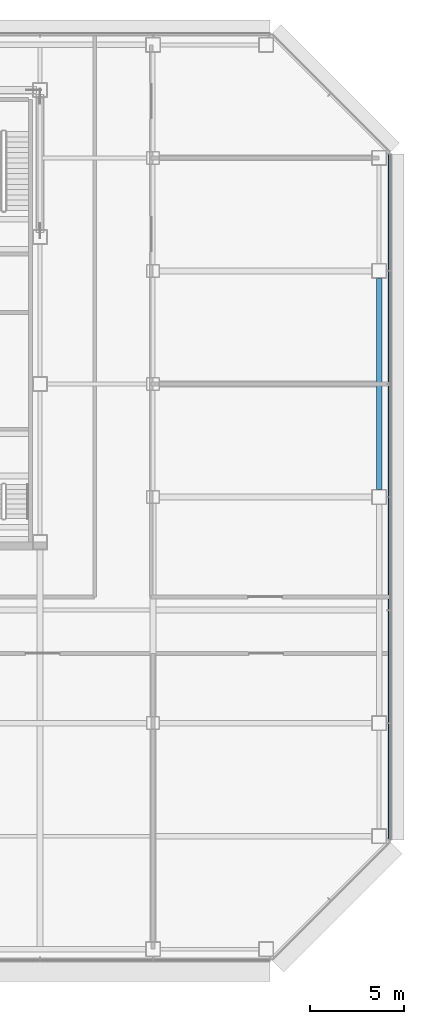
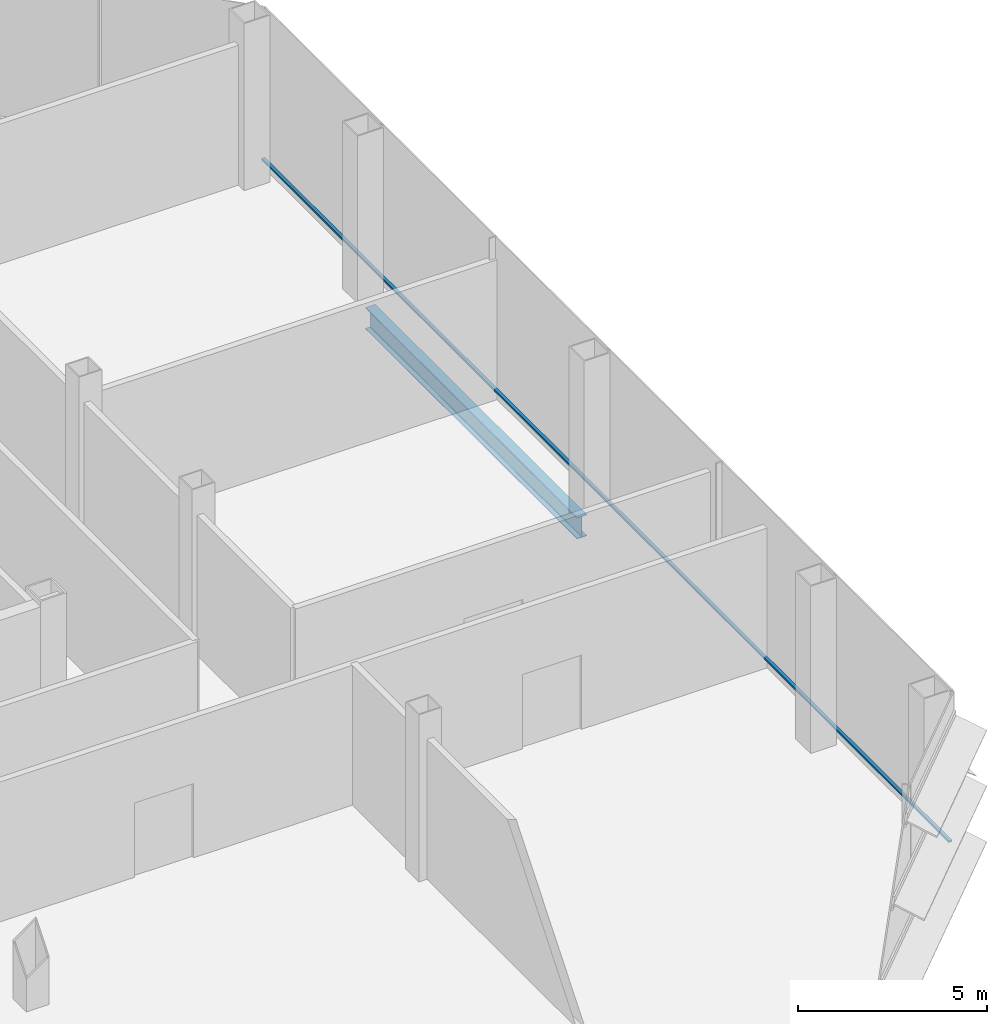
# One storey, part 13 of 23: 1 beam, 1 member, 1 element without a shape of its own.
"""IFC4 building model written with IfcOpenShell, lengths in metres."""

from ifc_helpers import new_model, si_unit, direction, frame, origin, origin_2d, place, context, subcontext, project, spatial, rectangle, i_section, extrude, material, material_profile, profile_set, type_object, element, aggregate, save


model = new_model("IFC4")

# Units and contexts
model_context = context("Model", 3, precision=1e-05, world=origin(), true_north=direction((0.0, 1.0)))
body_context = subcontext(model_context, "Body", "Model", "MODEL_VIEW")
ifc_project = project(units=[si_unit("LENGTHUNIT", "METRE"), si_unit("AREAUNIT", "SQUARE_METRE"), si_unit("VOLUMEUNIT", "CUBIC_METRE"), si_unit("PLANEANGLEUNIT", "RADIAN"), si_unit("MASSUNIT", "GRAM", prefix="KILO")], contexts=[model_context])

# Site, building, storey
site_placement = place(None, origin())
site = spatial("IfcSite", under=ifc_project, at=site_placement, CompositionType="ELEMENT")
building_placement = place(site_placement, origin())
building = spatial("IfcBuilding", under=site, at=building_placement, Name="Sorahane Residences", CompositionType="ELEMENT")
storey_placement = place(building_placement, frame((0.0, 0.0, 114.199951171875)))
storey = spatial("IfcBuildingStorey", under=building, at=storey_placement, Name="L25", CompositionType="ELEMENT", Elevation=114.199951171875)

# Curtain wall, member
ifc_material_1 = material(Name="Dark low-e glass and black anodised aluminium", Category="aluminium")
curtain_wall_type = type_object("IfcCurtainWallType", Name="Curtain wall CW-4 Sky floor frameless wall", PredefinedType="NOTDEFINED", material=ifc_material_1)
curtain_wall_placement = place(storey_placement, origin())
curtain_wall = element("IfcCurtainWall", 1, at=curtain_wall_placement, inside=storey, type_object=curtain_wall_type, Name="CW-4 curtain wall L25 E1", PredefinedType="NOTDEFINED")
ifc_material_2 = material(Name="Black anodised aluminium", Category="aluminium")
ifc_material_profile_1 = material_profile(ifc_material_2, rectangle(XDim=0.10009765625, YDim=0.06005859375, at=origin_2d()), Name="Curtain wall transom CW-4 black anodised aluminium 60x100")
ifc_profile_set_1 = profile_set([ifc_material_profile_1], Name="Black anodised aluminium")
member_type = type_object("IfcMemberType", Name="Curtain wall transom CW-4 black anodised aluminium 60x100", PredefinedType="USERDEFINED", material=ifc_profile_set_1)
member_placement = place(storey_placement, frame((60.530029296875, 5.801513671875, 0.35009765625), z_axis=(0.0, 1.0, 0.0), x_axis=(-1.0, 0.0, 0.0)))
member = element("IfcMember", 2, at=member_placement, type_object=member_type, Name="CW-4 transom L25 E1", ObjectType="TRANSOM", PredefinedType="USERDEFINED", context=body_context, shape_type="SweptSolid", body=[
    extrude(rectangle(XDim=0.10009765625, YDim=0.06005859375, at=origin_2d()), origin(), (0.0, 0.0, 1.0), 36.39697265625),
])
aggregate(curtain_wall, [member])

# Beam
ifc_material_3 = material(Name="Steel Q355B", Category="steel")
ifc_material_profile_2 = material_profile(ifc_material_3, i_section(OverallWidth=0.300048828125, OverallDepth=0.699951171875, WebThickness=0.012939453125, FlangeThickness=0.02392578125, FilletRadius=0.028076171875, at=origin_2d()), Name="HN 700x300x13x24")
ifc_profile_set_2 = profile_set([ifc_material_profile_2], Name="Steel Q355B")
beam_type = type_object("IfcBeamType", Name="Steel floor beam HN 700x300x13x24 Q355B", PredefinedType="BEAM", material=ifc_profile_set_2)
beam_placement = place(storey_placement, frame((60.0, 24.39990234375, -0.570068359375), z_axis=(0.0, 1.0, 0.0), x_axis=(-1.0, 0.0, 0.0)))
element("IfcBeam", 3, at=beam_placement, inside=storey, type_object=beam_type, Name="Beam L25 066", PredefinedType="BEAM", context=body_context, shape_type="SweptSolid", body=[
    extrude(i_section(OverallWidth=0.300048828125, OverallDepth=0.699951171875, WebThickness=0.012939453125, FlangeThickness=0.02392578125, FilletRadius=0.028076171875, at=origin_2d()), origin(), (0.0, 0.0, 1.0), 11.2001953125),
])

save(model, "model.ifc")
